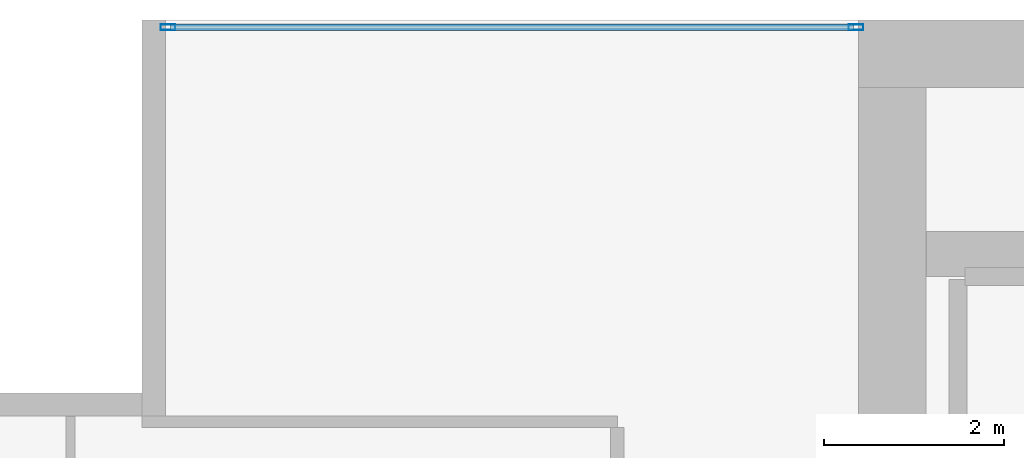
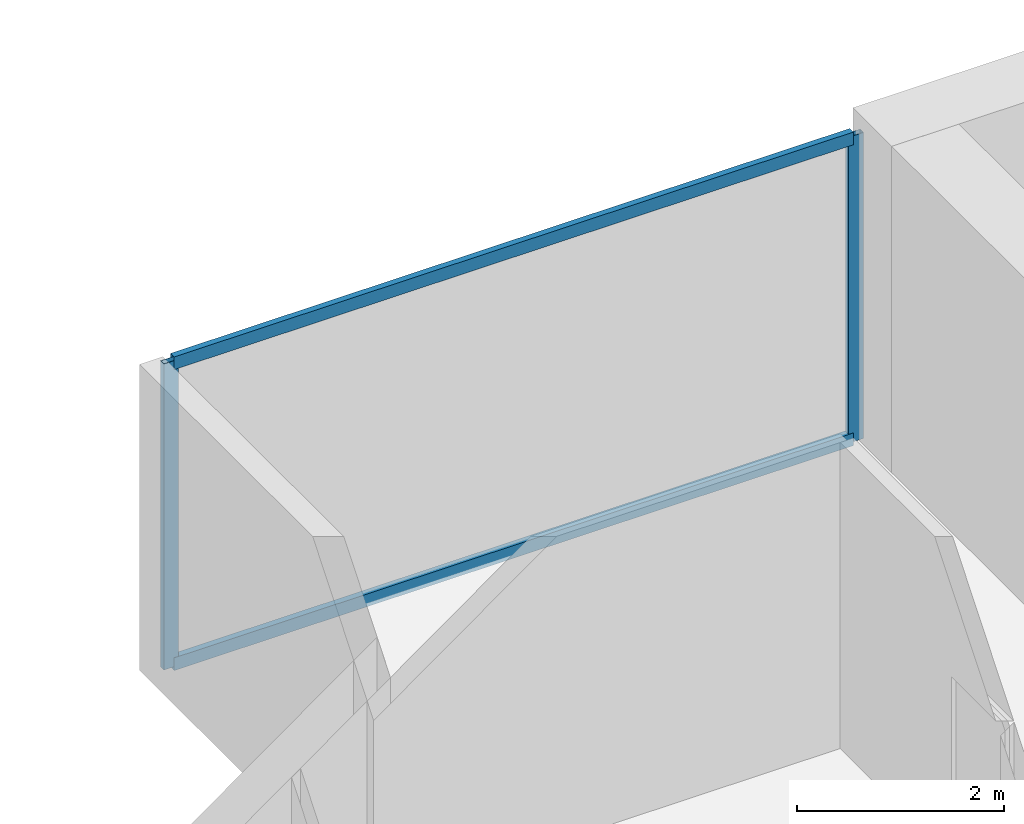
# One storey, part 22 of 33: 4 members, 1 element without a shape of its own.
"""IFC4 building model written with IfcOpenShell, lengths in metres."""

from ifc_helpers import new_model, si_unit, direction, frame, origin, origin_2d, place, context, subcontext, project, spatial, hollow_rectangle, extrude, material, layer, layer_set, material_profile, profile_set, type_object, element, aggregate, save


model = new_model("IFC4")

# Units and contexts
model_context = context("Model", 3, precision=1e-05, world=origin(), true_north=direction((0.0, 1.0)))
body_context = subcontext(model_context, "Body", "Model", "MODEL_VIEW")
ifc_project = project(units=[si_unit("LENGTHUNIT", "METRE"), si_unit("AREAUNIT", "SQUARE_METRE"), si_unit("VOLUMEUNIT", "CUBIC_METRE"), si_unit("PLANEANGLEUNIT", "RADIAN"), si_unit("MASSUNIT", "GRAM", prefix="KILO")], contexts=[model_context])

# Site, building, storey
site_placement = place(None, origin())
site = spatial("IfcSite", under=ifc_project, at=site_placement, CompositionType="ELEMENT")
building_placement = place(site_placement, origin())
building = spatial("IfcBuilding", under=site, at=building_placement, Name="Maruvema Waterfront Hotel and Observation Tower", CompositionType="ELEMENT")
storey_placement = place(building_placement, frame((0.0, 0.0, 142.800048828125)))
storey = spatial("IfcBuildingStorey", under=building, at=storey_placement, Name="L34", CompositionType="ELEMENT", Elevation=142.800048828125)

# Curtain wall, members
ifc_material_1 = material(Name="Anodised bronze aluminium and solar-control low-E IGU", Category="aluminium")
ifc_layer = layer(ifc_material_1, 0.159912109375, Name="Zone 2 Amber Inner Thermal Curtain Wall System CW-03")
ifc_layer_set = layer_set([ifc_layer], Name="Anodised bronze aluminium and solar-control low-E IGU")
curtain_wall_type = type_object("IfcCurtainWallType", Name="Zone 2 Amber Inner Thermal Curtain Wall System CW-03", PredefinedType="USERDEFINED", material=ifc_layer_set)
curtain_wall_placement = place(storey_placement, origin())
curtain_wall = element("IfcCurtainWall", 1, at=curtain_wall_placement, inside=storey, type_object=curtain_wall_type, Name="L34 Curtain Wall CW-L34-NW", ObjectType="UNITISED CURTAIN WALL", PredefinedType="USERDEFINED")
ifc_material_2 = material(Name="Anodised architectural bronze aluminium", Category="aluminium")
ifc_material_profile_1 = material_profile(ifc_material_2, hollow_rectangle(XDim=0.070068359375, YDim=0.14990234375, WallThickness=0.00390625, at=origin_2d()), Name="ALU-T70x150")
ifc_profile_set_1 = profile_set([ifc_material_profile_1], Name="Anodised architectural bronze aluminium")
member_type_1 = type_object("IfcMemberType", Name="Curtain Wall Horizontal Transom ALU-T70x150", PredefinedType="USERDEFINED", material=ifc_profile_set_1)
member_1_placement = place(storey_placement, frame((25.139892578125, 53.919921875, 0.030029296875), z_axis=(-1.0, 0.0, 0.0), x_axis=(0.0, -1.0, 0.0)))
member_1 = element("IfcMember", 2, at=member_1_placement, type_object=member_type_1, Name="CW-03 transom 1.1", ObjectType="TRANSOM", PredefinedType="USERDEFINED", context=body_context, shape_type="SweptSolid", body=[
    extrude(hollow_rectangle(XDim=0.070068359375, YDim=0.14990234375, WallThickness=0.00390625, at=origin_2d()), origin(), (0.0, 0.0, 1.0), 7.579833984375),
])
member_2_placement = place(storey_placement, frame((25.139892578125, 53.919921875, 3.579833984375), z_axis=(-1.0, 0.0, 0.0), x_axis=(0.0, -1.0, 0.0)))
member_2 = element("IfcMember", 3, at=member_2_placement, type_object=member_type_1, Name="CW-03 transom 1.2", ObjectType="TRANSOM", PredefinedType="USERDEFINED", context=body_context, shape_type="SweptSolid", body=[
    extrude(hollow_rectangle(XDim=0.070068359375, YDim=0.14990234375, WallThickness=0.00390625, at=origin_2d()), origin(), (0.0, 0.0, 1.0), 7.579833984375),
])
ifc_material_3 = material(Name="Anodised architectural bronze aluminium", Category="aluminium")
ifc_material_profile_2 = material_profile(ifc_material_3, hollow_rectangle(XDim=0.06494140625, YDim=0.1650390625, WallThickness=0.00390625, at=origin_2d()), Name="ALU-M65x165")
ifc_profile_set_2 = profile_set([ifc_material_profile_2], Name="Anodised architectural bronze aluminium")
member_type_2 = type_object("IfcMemberType", Name="Curtain Wall Primary Mullion ALU-M65x165", PredefinedType="MULLION", material=ifc_profile_set_2)
member_3_placement = place(storey_placement, frame((25.169921875, 53.919921875, 0.0), z_axis=(0.0, 0.0, 1.0), x_axis=(0.0, -1.0, 0.0)))
member_3 = element("IfcMember", 4, at=member_3_placement, type_object=member_type_2, Name="CW-03 mullion 1", PredefinedType="MULLION", context=body_context, shape_type="SweptSolid", body=[
    extrude(hollow_rectangle(XDim=0.06494140625, YDim=0.1650390625, WallThickness=0.00390625, at=origin_2d()), origin(), (0.0, 0.0, 1.0), 3.60986328125),
])
member_4_placement = place(storey_placement, frame((17.530029296875, 53.919921875, 0.0), z_axis=(0.0, 0.0, 1.0), x_axis=(0.0, -1.0, 0.0)))
member_4 = element("IfcMember", 5, at=member_4_placement, type_object=member_type_2, Name="CW-03 mullion 2", PredefinedType="MULLION", context=body_context, shape_type="SweptSolid", body=[
    extrude(hollow_rectangle(XDim=0.06494140625, YDim=0.1650390625, WallThickness=0.00390625, at=origin_2d()), origin(), (0.0, 0.0, 1.0), 3.60986328125),
])
aggregate(curtain_wall, [member_3, member_4, member_1, member_2])

save(model, "model.ifc")
